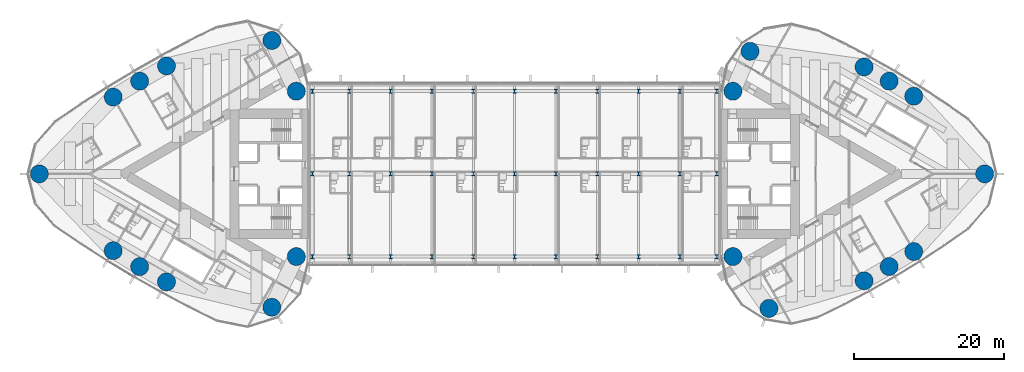
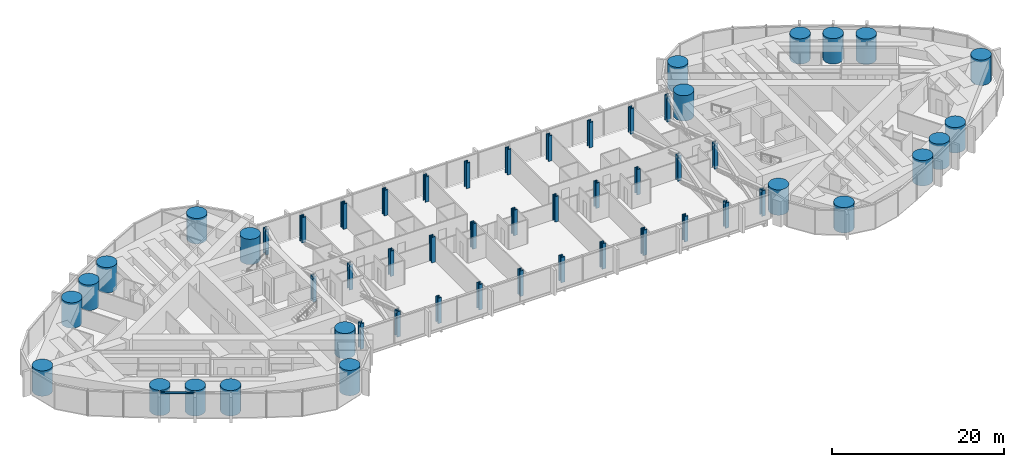
# One storey, part 1 of 22: 55 columns, 1 member, 1 element without a shape of its own.
"""IFC4 building model written with IfcOpenShell, lengths in metres."""

from ifc_helpers import new_model, si_unit, direction, frame, origin, origin_2d, place, context, subcontext, project, spatial, rectangle, circle, i_section, extrude, material, material_profile, profile_set, type_object, element, aggregate, save


model = new_model("IFC4")

# Units and contexts
model_context = context("Model", 3, precision=1e-05, world=origin(), true_north=direction((0.0, 1.0)))
body_context = subcontext(model_context, "Body", "Model", "MODEL_VIEW")
ifc_project = project(units=[si_unit("LENGTHUNIT", "METRE"), si_unit("AREAUNIT", "SQUARE_METRE"), si_unit("VOLUMEUNIT", "CUBIC_METRE"), si_unit("PLANEANGLEUNIT", "RADIAN"), si_unit("MASSUNIT", "GRAM", prefix="KILO")], contexts=[model_context])

# Site, building, storey
site_placement = place(None, origin())
site = spatial("IfcSite", under=ifc_project, at=site_placement, CompositionType="ELEMENT")
building_placement = place(site_placement, origin())
building = spatial("IfcBuilding", under=site, at=building_placement, Name="Lancet Gate Hotel", CompositionType="ELEMENT")
storey_placement = place(building_placement, frame((0.0, 0.0, 229.699951171875)))
storey = spatial("IfcBuildingStorey", under=building, at=storey_placement, Name="L61", CompositionType="ELEMENT", Elevation=229.699951171875)

# Columns
ifc_material_1 = material(Name="Steel S460", Category="steel")
ifc_material_profile_1 = material_profile(ifc_material_1, i_section(OverallWidth=0.47607421875, OverallDepth=0.60009765625, WebThickness=0.10009765625, FlangeThickness=0.139892578125, FilletRadius=0.02001953125, at=origin_2d()), Name="HD 400x1299")
ifc_profile_set_1 = profile_set([ifc_material_profile_1], Name="Steel S460")
column_type_1 = type_object("IfcColumnType", Name="Block column HD 400x1299", PredefinedType="COLUMN", material=ifc_profile_set_1)
for number, where, z_axis, x_axis, name in (
    (1, (-26.89990234375, -11.0, 0.0), (0.0, 0.0, 1.0), (1.0, 0.0, 0.0), "Block column S0 L61"),
    (2, (-22.0, -11.0, 0.0), (0.0, 0.0, 1.0), (1.0, 0.0, 0.0), "Block column S1 L61"),
    (3, (-16.5, -11.0, 0.0), (0.0, 0.0, 1.0), (1.0, 0.0, 0.0), "Block column S2 L61"),
    (4, (-11.0, -11.0, 0.0), (0.0, 0.0, 1.0), (1.0, 0.0, 0.0), "Block column S3 L61"),
    (5, (-5.5, -11.0, 0.0), (0.0, 0.0, 1.0), (1.0, 0.0, 0.0), "Block column S4 L61"),
    (6, (0.0, -11.0, 0.0), (0.0, 0.0, 1.0), (1.0, 0.0, 0.0), "Block column S5 L61"),
    (7, (5.5, -11.0, 0.0), (0.0, 0.0, 1.0), (1.0, 0.0, 0.0), "Block column S6 L61"),
    (8, (11.0, -11.0, 0.0), (0.0, 0.0, 1.0), (1.0, 0.0, 0.0), "Block column S7 L61"),
    (9, (16.5, -11.0, 0.0), (0.0, 0.0, 1.0), (1.0, 0.0, 0.0), "Block column S8 L61"),
    (10, (22.0, -11.0, 0.0), (0.0, 0.0, 1.0), (1.0, 0.0, 0.0), "Block column S9 L61"),
    (11, (26.89990234375, -11.0, 0.0), (0.0, 0.0, 1.0), (1.0, 0.0, 0.0), "Block column S10 L61"),
    (12, (-26.89990234375, 0.0, 0.0), (0.0, 0.0, 1.0), (1.0, 0.0, 0.0), "Block column M0 L61"),
    (13, (-22.0, 0.0, 0.0), (0.0, 0.0, 1.0), (1.0, 0.0, 0.0), "Block column M1 L61"),
    (14, (-16.5, 0.0, 0.0), (0.0, 0.0, 1.0), (1.0, 0.0, 0.0), "Block column M2 L61"),
    (15, (-11.0, 0.0, 0.0), (0.0, 0.0, 1.0), (1.0, 0.0, 0.0), "Block column M3 L61"),
    (16, (-5.5, 0.0, 0.0), (0.0, 0.0, 1.0), (1.0, 0.0, 0.0), "Block column M4 L61"),
    (17, (0.0, 0.0, 0.0), (0.0, 0.0, 1.0), (1.0, 0.0, 0.0), "Block column M5 L61"),
    (18, (5.5, 0.0, 0.0), (0.0, 0.0, 1.0), (1.0, 0.0, 0.0), "Block column M6 L61"),
    (19, (11.0, 0.0, 0.0), (0.0, 0.0, 1.0), (1.0, 0.0, 0.0), "Block column M7 L61"),
    (20, (16.5, 0.0, 0.0), (0.0, 0.0, 1.0), (1.0, 0.0, 0.0), "Block column M8 L61"),
    (21, (22.0, 0.0, 0.0), (0.0, 0.0, 1.0), (1.0, 0.0, 0.0), "Block column M9 L61"),
    (22, (26.89990234375, 0.0, 0.0), (0.0, 0.0, 1.0), (1.0, 0.0, 0.0), "Block column M10 L61"),
    (23, (-26.89990234375, 11.0, 0.0), (0.0, 0.0, 1.0), (1.0, 0.0, 0.0), "Block column N0 L61"),
    (24, (-22.0, 11.0, 0.0), (0.0, 0.0, 1.0), (1.0, 0.0, 0.0), "Block column N1 L61"),
    (25, (-16.5, 11.0, 0.0), (0.0, 0.0, 1.0), (1.0, 0.0, 0.0), "Block column N2 L61"),
    (26, (-11.0, 11.0, 0.0), (0.0, 0.0, 1.0), (1.0, 0.0, 0.0), "Block column N3 L61"),
    (27, (-5.5, 11.0, 0.0), (0.0, 0.0, 1.0), (1.0, 0.0, 0.0), "Block column N4 L61"),
    (28, (0.0, 11.0, 0.0), (0.0, 0.0, 1.0), (1.0, 0.0, 0.0), "Block column N5 L61"),
    (29, (5.5, 11.0, 0.0), (0.0, 0.0, 1.0), (1.0, 0.0, 0.0), "Block column N6 L61"),
    (30, (11.0, 11.0, 0.0), (0.0, 0.0, 1.0), (1.0, 0.0, 0.0), "Block column N7 L61"),
    (31, (16.5, 11.0, 0.0), (0.0, 0.0, 1.0), (1.0, 0.0, 0.0), "Block column N8 L61"),
    (32, (22.0, 11.0, 0.0), (0.0, 0.0, 1.0), (1.0, 0.0, 0.0), "Block column N9 L61"),
    (33, (26.89990234375, 11.0, 0.0), (0.0, 0.0, 1.0), (1.0, 0.0, 0.0), "Block column N10 L61"),
):
    element("IfcColumn", number, at=place(storey_placement, frame(where, z_axis=z_axis, x_axis=x_axis)), inside=storey, type_object=column_type_1, Name=name, PredefinedType="COLUMN", context=body_context, shape_type="SweptSolid", body=[
        extrude(i_section(OverallWidth=0.47607421875, OverallDepth=0.60009765625, WebThickness=0.10009765625, FlangeThickness=0.139892578125, FilletRadius=0.02001953125, at=origin_2d()), origin(), (0.0, 0.0, 1.0), 3.60009765625),
    ])
ifc_material_2 = material(Name="Concrete C50/60", Category="concrete")
ifc_material_profile_2 = material_profile(ifc_material_2, circle(Radius=1.199951171875, at=origin_2d()), Name="RC D2400")
ifc_profile_set_2 = profile_set([ifc_material_profile_2], Name="Concrete C50/60")
column_type_2 = type_object("IfcColumnType", Name="Perimeter column RC D2400", PredefinedType="COLUMN", material=ifc_profile_set_2)
for number, where, z_axis, x_axis, name in (
    (34, (-63.234375, 0.0, 0.0), (0.0, 0.0, 1.0), (1.0, 0.0, 0.0), "T1 column CA L61"),
    (35, (-32.301025390625, -17.745361328125, 0.0), (0.0, 0.0, 1.0), (1.0, 0.0, 0.0), "T1 column CN L61"),
    (36, (-32.301025390625, 17.745361328125, 0.0), (0.0, 0.0, 1.0), (1.0, 0.0, 0.0), "T1 column CS L61"),
    (37, (-29.050048828125, -11.0, 0.0), (0.0, 0.0, 1.0), (1.0, 0.0, 0.0), "T1 column IN L61"),
    (38, (-29.050048828125, 11.0, 0.0), (0.0, 0.0, 1.0), (1.0, 0.0, 0.0), "T1 column IS L61"),
    (39, (-53.40771484375, -10.218994140625, 0.0), (0.0, 0.0, 1.0), (1.0, 0.0, 0.0), "T1 column ON1 L61"),
    (40, (-49.89013671875, -12.340087890625, 0.0), (0.0, 0.0, 1.0), (1.0, 0.0, 0.0), "T1 column ON2 L61"),
    (41, (-46.316650390625, -14.365478515625, 0.0), (0.0, 0.0, 1.0), (1.0, 0.0, 0.0), "T1 column ON3 L61"),
    (42, (-46.316650390625, 14.365478515625, 0.0), (0.0, 0.0, 1.0), (1.0, 0.0, 0.0), "T1 column OS1 L61"),
    (43, (-49.89013671875, 12.340087890625, 0.0), (0.0, 0.0, 1.0), (1.0, 0.0, 0.0), "T1 column OS2 L61"),
    (44, (-53.40771484375, 10.218994140625, 0.0), (0.0, 0.0, 1.0), (1.0, 0.0, 0.0), "T1 column OS3 L61"),
    (45, (62.54150390625, 0.0, 0.0), (0.0, 0.0, 1.0), (1.0, 0.0, 0.0), "T2 column CA L61"),
    (46, (31.328369140625, 16.310791015625, 0.0), (0.0, 0.0, 1.0), (1.0, 0.0, 0.0), "T2 column CN L61"),
    (47, (33.837158203125, -17.906005859375, 0.0), (0.0, 0.0, 1.0), (1.0, 0.0, 0.0), "T2 column CS L61"),
    (48, (29.050048828125, 11.0, 0.0), (0.0, 0.0, 1.0), (1.0, 0.0, 0.0), "T2 column IN L61"),
    (49, (29.050048828125, -11.0, 0.0), (0.0, 0.0, 1.0), (1.0, 0.0, 0.0), "T2 column IS L61"),
    (50, (53.107666015625, 10.333984375, 0.0), (0.0, 0.0, 1.0), (1.0, 0.0, 0.0), "T2 column ON1 L61"),
    (51, (49.833984375, 12.331787109375, 0.0), (0.0, 0.0, 1.0), (1.0, 0.0, 0.0), "T2 column ON2 L61"),
    (52, (46.499267578125, 14.2255859375, 0.0), (0.0, 0.0, 1.0), (1.0, 0.0, 0.0), "T2 column ON3 L61"),
    (53, (46.499267578125, -14.2255859375, 0.0), (0.0, 0.0, 1.0), (1.0, 0.0, 0.0), "T2 column OS1 L61"),
    (54, (49.833984375, -12.331787109375, 0.0), (0.0, 0.0, 1.0), (1.0, 0.0, 0.0), "T2 column OS2 L61"),
    (55, (53.107666015625, -10.333984375, 0.0), (0.0, 0.0, 1.0), (1.0, 0.0, 0.0), "T2 column OS3 L61"),
):
    element("IfcColumn", number, at=place(storey_placement, frame(where, z_axis=z_axis, x_axis=x_axis)), inside=storey, type_object=column_type_2, Name=name, PredefinedType="COLUMN", context=body_context, shape_type="SweptSolid", body=[
        extrude(circle(Radius=1.199951171875, at=origin_2d()), origin(), (0.0, 0.0, 1.0), 3.60009765625),
    ])

# Curtain wall, member
ifc_material_3 = material(Name="Aluminium curtain wall", Category="aluminium")
curtain_wall_type = type_object("IfcCurtainWallType", Name="Tower unitised curtain wall", PredefinedType="USERDEFINED", material=ifc_material_3)
curtain_wall_placement = place(storey_placement, origin())
curtain_wall = element("IfcCurtainWall", 56, at=curtain_wall_placement, inside=storey, type_object=curtain_wall_type, Name="T1 L61 curtain wall 1", ObjectType="UNITISED CURTAIN WALL", PredefinedType="USERDEFINED")
ifc_material_4 = material(Name="Aluminium transom", Category="aluminium")
ifc_material_profile_3 = material_profile(ifc_material_4, rectangle(XDim=0.25, YDim=0.14990234375, at=origin_2d()), Name="TRANSOM 250x150")
ifc_profile_set_3 = profile_set([ifc_material_profile_3], Name="Aluminium transom")
member_type = type_object("IfcMemberType", Name="Aluminium transom 250x150", PredefinedType="USERDEFINED", material=ifc_profile_set_3)
member_placement = place(storey_placement, frame((-54.197998046875, -11.55224609375, 3.525146484375), z_axis=(0.856362214892, -0.516375596737, 0.0), x_axis=(0.516375596737, 0.856362214892, 0.0)))
member = element("IfcMember", 57, at=member_placement, type_object=member_type, Name="T1 L61 curtain wall 1 transom 17", ObjectType="TRANSOM", PredefinedType="USERDEFINED", context=body_context, shape_type="SweptSolid", body=[
    extrude(rectangle(XDim=0.25, YDim=0.14990234375, at=origin_2d()), origin(), (0.0, 0.0, 1.0), 4.08447265625),
])
aggregate(curtain_wall, [member])

save(model, "model.ifc")
